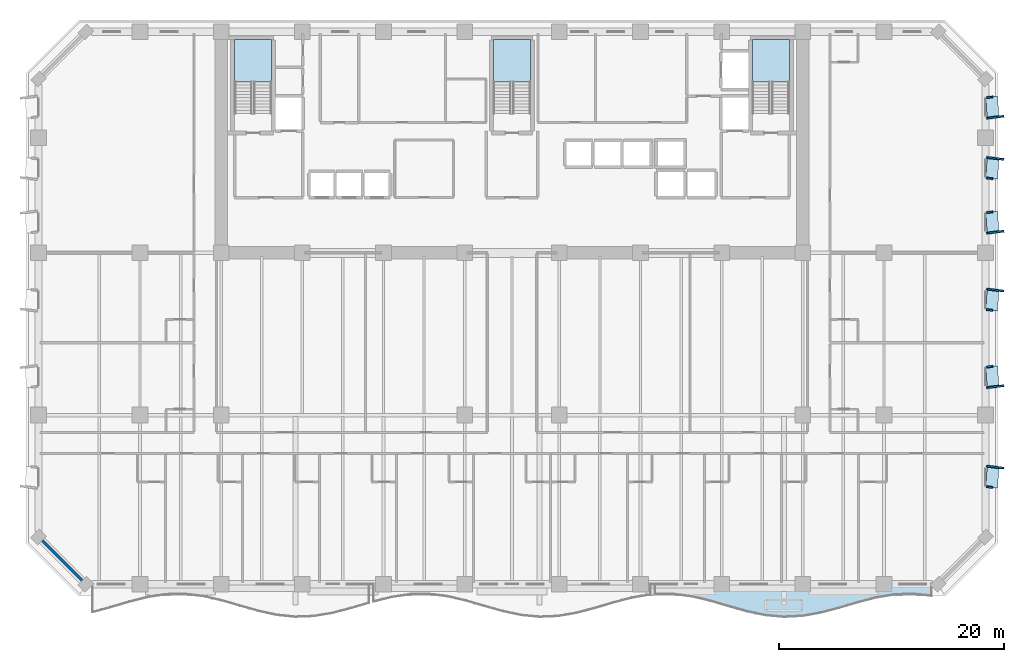
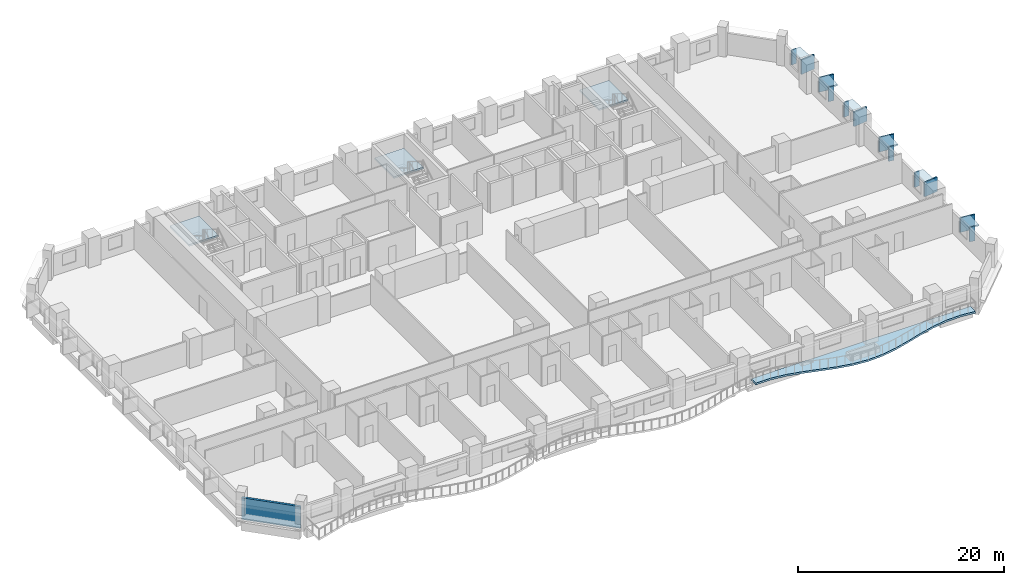
# One storey, part 3 of 15: 18 plates, 4 slabs, 1 wall, 3 elements without a shape of their own.
"""IFC4 building model written with IfcOpenShell, lengths in metres."""

from ifc_helpers import new_model, si_unit, direction, frame, frame_2d, origin, origin_2d, place, context, subcontext, project, spatial, polyline, rectangle, outline, extrude, material, layer, layer_set, type_object, element, aggregate, save


model = new_model("IFC4")

# Units and contexts
model_context = context("Model", 3, precision=1e-05, world=origin(), true_north=direction((0.0, 1.0)))
body_context = subcontext(model_context, "Body", "Model", "MODEL_VIEW")
ifc_project = project(units=[si_unit("LENGTHUNIT", "METRE"), si_unit("AREAUNIT", "SQUARE_METRE"), si_unit("VOLUMEUNIT", "CUBIC_METRE"), si_unit("PLANEANGLEUNIT", "RADIAN"), si_unit("MASSUNIT", "GRAM", prefix="KILO")], contexts=[model_context])

# Site, building, storey
site_placement = place(None, origin())
site = spatial("IfcSite", under=ifc_project, at=site_placement, CompositionType="ELEMENT")
building_placement = place(site_placement, origin())
building = spatial("IfcBuilding", under=site, at=building_placement, Name="Kaelvorn Grand Hotel", CompositionType="ELEMENT")
storey_placement = place(building_placement, frame((0.0, 0.0, 57.64990234375)))
storey = spatial("IfcBuildingStorey", under=building, at=storey_placement, Name="L12", CompositionType="ELEMENT", Elevation=57.64990234375)

# Plates
ifc_material_1 = material(Name="Precast concrete C45/55", Category="concrete")
ifc_layer_1 = layer(ifc_material_1, 0.159912109375)
ifc_layer_set_1 = layer_set([ifc_layer_1], Name="Precast concrete C45/55")
plate_type_1 = type_object("IfcPlateType", Name="PL-FRAME-DEEP-1550", PredefinedType="USERDEFINED", material=ifc_layer_set_1)
for number, where, z_axis, x_axis, name in (
    (1, (84.864990234375, 10.389892578125, 0.68994140625), (0.0, 0.0, 1.0), (0.121869343405, 0.992546151641, 0.0), "L12 Tilted Precast Window Frame Fin R-E01"),
    (2, (84.864990234375, 17.52001953125, 0.68994140625), (0.0, 0.0, 1.0), (-0.121869343405, 0.992546151641, 0.0), "L12 Tilted Precast Window Frame Fin L-E02"),
    (3, (84.864990234375, 26.10009765625, 0.68994140625), (0.0, 0.0, 1.0), (0.121869343405, 0.992546151641, 0.0), "L12 Tilted Precast Window Frame Fin R-E03"),
    (4, (84.864990234375, 31.22509765625, 0.68994140625), (0.0, 0.0, 1.0), (-0.121869343405, 0.992546151641, 0.0), "L12 Tilted Precast Window Frame Fin L-E04"),
    (5, (84.864990234375, 37.77490234375, 0.68994140625), (0.0, 0.0, 1.0), (0.121869343405, 0.992546151641, 0.0), "L12 Tilted Precast Window Frame Fin R-E05"),
    (6, (84.864990234375, 41.425048828125, 0.68994140625), (0.0, 0.0, 1.0), (-0.121869343405, 0.992546151641, 0.0), "L12 Tilted Precast Window Frame Fin L-E06"),
):
    element("IfcPlate", number, at=place(storey_placement, frame(where, z_axis=z_axis, x_axis=x_axis)), inside=storey, type_object=plate_type_1, Name=name, ObjectType="FLANGE_PLATE", PredefinedType="USERDEFINED", context=body_context, shape_type="SweptSolid", body=[
        extrude(rectangle(XDim=0.159912109375, YDim=1.550048828125, at=origin_2d()), origin(), (0.0, 0.0, 1.0), 1.719970703125),
    ])
ifc_layer_2 = layer(ifc_material_1, 0.159912109375)
ifc_layer_set_2 = layer_set([ifc_layer_2], Name="Precast concrete C45/55")
plate_type_2 = type_object("IfcPlateType", Name="PL-FRAME-HEAD-1050", PredefinedType="USERDEFINED", material=ifc_layer_set_2)
for number, where, z_axis, x_axis, name in (
    (7, (84.614990234375, 9.5, 2.25), (0.0, 0.0, 1.0), (0.054950179912, 0.998489097451, 0.0), "L12 Precast Window Frame Head Hood H-E01"),
    (8, (84.614990234375, 18.409912109375, 2.25), (0.0, 0.0, 1.0), (-0.054950179912, 0.998489097451, 0.0), "L12 Precast Window Frame Head Hood H-E02"),
    (9, (84.614990234375, 25.2099609375, 2.25), (0.0, 0.0, 1.0), (0.054950179912, 0.998489097451, 0.0), "L12 Precast Window Frame Head Hood H-E03"),
    (10, (84.614990234375, 32.114990234375, 2.25), (0.0, 0.0, 1.0), (-0.054950179912, 0.998489097451, 0.0), "L12 Precast Window Frame Head Hood H-E04"),
    (11, (84.614990234375, 36.885009765625, 2.25), (0.0, 0.0, 1.0), (0.054950179912, 0.998489097451, 0.0), "L12 Precast Window Frame Head Hood H-E05"),
    (12, (84.614990234375, 42.31494140625, 2.25), (0.0, 0.0, 1.0), (-0.054950179912, 0.998489097451, 0.0), "L12 Precast Window Frame Head Hood H-E06"),
):
    element("IfcPlate", number, at=place(storey_placement, frame(where, z_axis=z_axis, x_axis=x_axis)), inside=storey, type_object=plate_type_2, Name=name, ObjectType="FLANGE_PLATE", PredefinedType="USERDEFINED", context=body_context, shape_type="SweptSolid", body=[
        extrude(rectangle(XDim=1.860107421875, YDim=1.050048828125, at=origin_2d()), origin(), (0.0, 0.0, 1.0), 0.159912109375),
    ])
ifc_layer_3 = layer(ifc_material_1, 0.159912109375)
ifc_layer_set_3 = layer_set([ifc_layer_3], Name="Precast concrete C45/55")
plate_type_3 = type_object("IfcPlateType", Name="PL-FRAME-SHAL-550", PredefinedType="USERDEFINED", material=ifc_layer_set_3)
for number, where, z_axis, x_axis, name in (
    (13, (84.364990234375, 8.610107421875, 0.68994140625), (0.0, 0.0, 1.0), (0.121869343405, 0.992546151641, 0.0), "L12 Tilted Precast Window Frame Fin L-E01"),
    (14, (84.364990234375, 19.300048828125, 0.68994140625), (0.0, 0.0, 1.0), (-0.121869343405, 0.992546151641, 0.0), "L12 Tilted Precast Window Frame Fin R-E02"),
    (15, (84.364990234375, 24.320068359375, 0.68994140625), (0.0, 0.0, 1.0), (0.121869343405, 0.992546151641, 0.0), "L12 Tilted Precast Window Frame Fin L-E03"),
    (16, (84.364990234375, 33.0048828125, 0.68994140625), (0.0, 0.0, 1.0), (-0.121869343405, 0.992546151641, 0.0), "L12 Tilted Precast Window Frame Fin R-E04"),
    (17, (84.364990234375, 35.9951171875, 0.68994140625), (0.0, 0.0, 1.0), (0.121869343405, 0.992546151641, 0.0), "L12 Tilted Precast Window Frame Fin L-E05"),
    (18, (84.364990234375, 43.205078125, 0.68994140625), (0.0, 0.0, 1.0), (-0.121869343405, 0.992546151641, 0.0), "L12 Tilted Precast Window Frame Fin R-E06"),
):
    element("IfcPlate", number, at=place(storey_placement, frame(where, z_axis=z_axis, x_axis=x_axis)), inside=storey, type_object=plate_type_3, Name=name, ObjectType="FLANGE_PLATE", PredefinedType="USERDEFINED", context=body_context, shape_type="SweptSolid", body=[
        extrude(rectangle(XDim=0.159912109375, YDim=0.550048828125, at=origin_2d()), origin(), (0.0, 0.0, 1.0), 1.719970703125),
    ])

# Slab
ifc_material_2 = material(Name="Concrete C40/50", Category="concrete")
ifc_layer_4 = layer(ifc_material_2, 0.219970703125)
ifc_layer_set_4 = layer_set([ifc_layer_4], Name="Concrete C40/50")
slab_type_1 = type_object("IfcSlabType", Name="SLB-BALC-220-C40", PredefinedType="FLOOR", material=ifc_layer_set_4)
slab_1_placement = place(storey_placement, frame((0.0, 0.0, -0.219970703125)))
element("IfcSlab", 19, at=slab_1_placement, inside=storey, type_object=slab_type_1, Name="L12 Scalloped Wave Balcony Slab 3", PredefinedType="FLOOR", context=body_context, shape_type="SweptSolid", body=[
    extrude(outline(polyline([(54.666748046875, -0.884521484375), (56.30224609375, -0.873779296875), (57.937744140625, -1.08544921875), (59.5732421875, -1.47265625), (61.208984375, -1.94921875), (62.844482421875, -2.4091796875), (64.47998046875, -2.75048828125), (66.115478515625, -2.8974609375), (67.751220703125, -2.817138671875), (69.38671875, -2.52783203125), (71.022216796875, -2.09326171875), (72.65771484375, -1.6103515625), (74.293212890625, -1.186279296875), (75.928955078125, -0.9150390625), (77.564453125, -0.857177734375), (79.199951171875, -1.025146484375), (79.199951171875, 0.0), (54.666748046875, 0.0), (54.666748046875, -0.884521484375)])), origin(), (0.0, 0.0, 1.0), 0.219970703125),
])

# Stair, slab
stair_type = type_object("IfcStairType", Name="STR-DOG-1560-R06", PredefinedType="HALF_TURN_STAIR", material=ifc_material_2)
stair_1_placement = place(storey_placement, origin())
stair_1 = element("IfcStair", 20, at=stair_1_placement, inside=storey, type_object=stair_type, Name="L12 West Core Exit Stair ST1", PredefinedType="HALF_TURN_STAIR")
ifc_layer_5 = layer(ifc_material_2, 0.199951171875)
ifc_layer_set_5 = layer_set([ifc_layer_5], Name="Concrete C40/50")
slab_type_2 = type_object("IfcSlabType", Name="SLB-LAND-200-C40", PredefinedType="LANDING", material=ifc_layer_set_5)
slab_2_placement = place(storey_placement, frame((0.0, 0.0, 1.675048828125)))
slab_2 = element("IfcSlab", 21, at=slab_2_placement, type_object=slab_type_2, Name="ST1 landing 1", PredefinedType="LANDING", context=body_context, shape_type="SweptSolid", body=[
    extrude(outline(polyline([(20.679931640625, 44.56005859375), (20.679931640625, 48.300048828125), (17.39990234375, 48.300048828125), (17.39990234375, 44.56005859375), (20.679931640625, 44.56005859375)])), origin(), (0.0, 0.0, 1.0), 0.199951171875),
])
aggregate(stair_1, [slab_2])

stair_2_placement = place(storey_placement, origin())
stair_2 = element("IfcStair", 22, at=stair_2_placement, inside=storey, type_object=stair_type, Name="L12 Central Core Exit Stair ST2", PredefinedType="HALF_TURN_STAIR")
slab_3_placement = place(storey_placement, frame((0.0, 0.0, 1.675048828125)))
slab_3 = element("IfcSlab", 23, at=slab_3_placement, type_object=slab_type_2, Name="ST2 landing 1", PredefinedType="LANDING", context=body_context, shape_type="SweptSolid", body=[
    extrude(outline(polyline([(43.639892578125, 44.56005859375), (43.639892578125, 48.300048828125), (40.360107421875, 48.300048828125), (40.360107421875, 44.56005859375), (43.639892578125, 44.56005859375)])), origin(), (0.0, 0.0, 1.0), 0.199951171875),
])
aggregate(stair_2, [slab_3])

stair_3_placement = place(storey_placement, origin())
stair_3 = element("IfcStair", 24, at=stair_3_placement, inside=storey, type_object=stair_type, Name="L12 East Core Exit Stair ST3", PredefinedType="HALF_TURN_STAIR")
slab_4_placement = place(storey_placement, frame((0.0, 0.0, 1.675048828125)))
slab_4 = element("IfcSlab", 25, at=slab_4_placement, type_object=slab_type_2, Name="ST3 landing 1", PredefinedType="LANDING", context=body_context, shape_type="SweptSolid", body=[
    extrude(outline(polyline([(66.60009765625, 44.56005859375), (66.60009765625, 48.300048828125), (63.320068359375, 48.300048828125), (63.320068359375, 44.56005859375), (66.60009765625, 44.56005859375)])), origin(), (0.0, 0.0, 1.0), 0.199951171875),
])
aggregate(stair_3, [slab_4])

# Wall
ifc_layer_6 = layer(ifc_material_2, 0.260009765625)
ifc_layer_set_6 = layer_set([ifc_layer_6], Name="Concrete C40/50")
wall_type = type_object("IfcWallType", Name="WL-EXT-260-C40", PredefinedType="SOLIDWALL", material=ifc_layer_set_6)
wall_placement = place(storey_placement, frame((0.0, 4.199951171875, 0.0), z_axis=(0.0, 0.0, 1.0), x_axis=(0.707106781187, -0.707106781187, 0.0)))
element("IfcWall", 26, at=wall_placement, inside=storey, type_object=wall_type, Name="L12 Exterior Architectural Concrete Wall 08", PredefinedType="SOLIDWALL", context=body_context, shape_type="SweptSolid", body=[
    extrude(rectangle(XDim=5.939697265625, YDim=0.260009765625, at=frame_2d((2.9697265625, 0.0))), origin(), (0.0, 0.0, 1.0), 2.56005859375),
])

save(model, "model.ifc")
